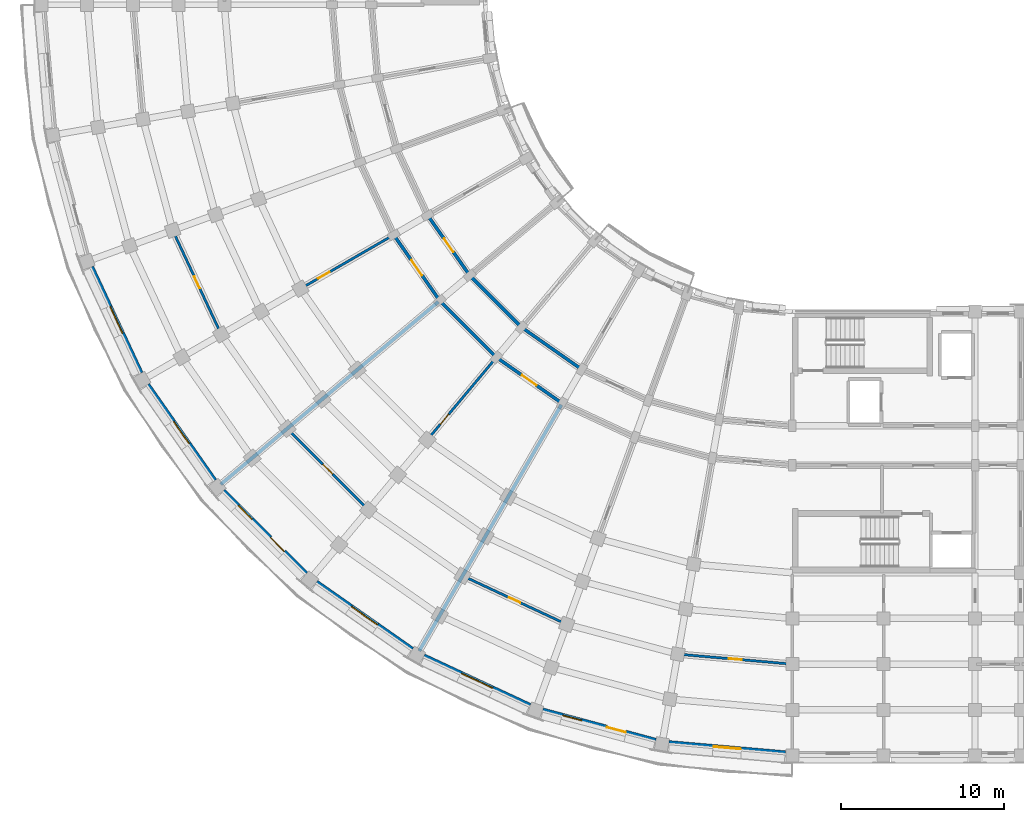
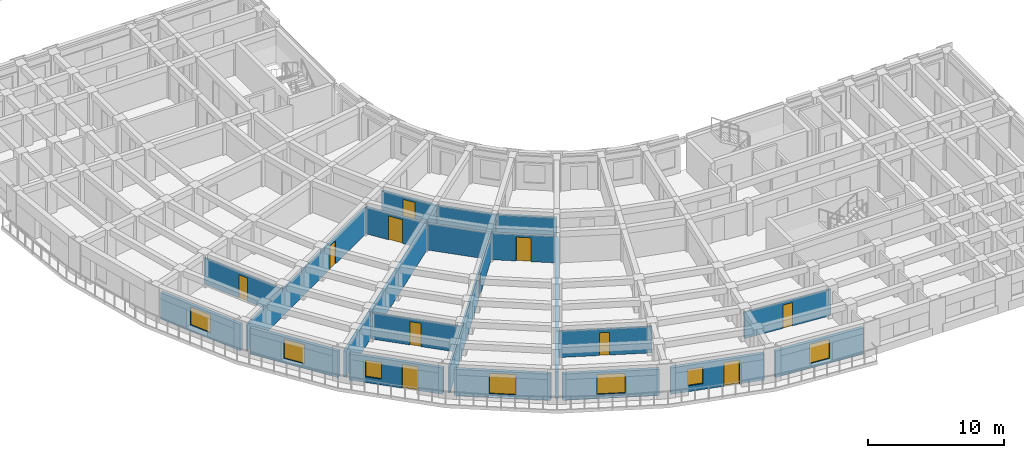
# One storey, part 15 of 54: 21 walls, 11 doors, 7 windows, 18 openings.
"""IFC4 building model written with IfcOpenShell, lengths in metres."""

from ifc_helpers import new_model, si_unit, direction, frame, frame_2d, origin, place, context, subcontext, project, spatial, rectangle, extrude, material, layer, layer_set, type_object, element, fill, save


model = new_model("IFC4")

# Units and contexts
model_context = context("Model", 3, precision=1e-05, world=origin(), true_north=direction((0.0, 1.0)))
body_context = subcontext(model_context, "Body", "Model", "MODEL_VIEW")
ifc_project = project(units=[si_unit("LENGTHUNIT", "METRE"), si_unit("AREAUNIT", "SQUARE_METRE"), si_unit("VOLUMEUNIT", "CUBIC_METRE"), si_unit("PLANEANGLEUNIT", "RADIAN"), si_unit("MASSUNIT", "GRAM", prefix="KILO")], contexts=[model_context])

# Site, building, storey
site_placement = place(None, origin())
site = spatial("IfcSite", under=ifc_project, at=site_placement, CompositionType="ELEMENT")
building_placement = place(site_placement, origin())
building = spatial("IfcBuilding", under=site, at=building_placement, Name="Kiranvali Square Residences", CompositionType="ELEMENT")
storey_placement = place(building_placement, frame((0.0, 0.0, 11.85009765625)))
storey = spatial("IfcBuildingStorey", under=building, at=storey_placement, Name="L03", CompositionType="ELEMENT", Elevation=11.85009765625)

# Wall
ifc_material_1 = material(Name="Autoclaved aerated concrete blockwork masonry", Category="masonry")
ifc_layer_1 = layer(ifc_material_1, 0.199951171875)
ifc_layer_set_1 = layer_set([ifc_layer_1], Name="Autoclaved aerated concrete blockwork masonry")
wall_type_1 = type_object("IfcWallType", Name="WL-COR-200", PredefinedType="STANDARD", material=ifc_layer_set_1)
wall_1_placement = place(storey_placement, frame((35.300048828125, 25.8564453125, 0.0), z_axis=(0.0, 0.0, 1.0), x_axis=(-0.819155404658, 0.573571637217, 0.0)))
element("IfcWall", 1, at=wall_1_placement, inside=storey, type_object=wall_type_1, Name="L03 architectural wall WL-L03-C-CCI-3", PredefinedType="STANDARD", context=body_context, shape_type="SweptSolid", body=[
    extrude(rectangle(XDim=4.497314453125, YDim=0.199951171875, at=frame_2d((2.24853515625, 0.0))), origin(), (0.0, 0.0, 1.0), 2.371826171875),
])

# Wall, opening, door
wall_2_placement = place(storey_placement, frame((34.10009765625, 23.778076171875, 0.0), z_axis=(0.0, 0.0, 1.0), x_axis=(-0.819140911474, 0.573592335331, 0.0)))
wall_2 = element("IfcWall", 2, at=wall_2_placement, inside=storey, type_object=wall_type_1, Name="L03 architectural wall WL-L03-C-CCO-3", PredefinedType="STANDARD", context=body_context, shape_type="SweptSolid", body=[
    extrude(rectangle(XDim=4.915771484375, YDim=0.199951171875, at=frame_2d((2.4580078125, 0.0))), origin(), (0.0, 0.0, 1.0), 2.371826171875),
])
opening_1_placement = place(wall_2_placement, frame((1.917724609375, 0.0, 0.0)))
opening_1 = element("IfcOpeningElement", 3, at=opening_1_placement, cuts=wall_2, Name="Opening FD-APT-60C", PredefinedType="OPENING", context=body_context, shape_type="SweptSolid", body=[
    extrude(rectangle(XDim=1.080078125, YDim=2.14990234375, at=frame_2d((0.5400390625, 1.074951171875))), frame((0.0, 0.10986328125, 0.0), z_axis=(0.0, -1.0, 0.0), x_axis=(1.0, 0.0, 0.0)), (0.0, 0.0, 1.0), 0.219970703125),
])
ifc_material_2 = material(Name="Fire-rated acoustic hardwood and mineral-core door assembly", Category="wood")
door_type_1 = type_object("IfcDoorType", Name="DR-APT-1080", OperationType="NOTDEFINED", PredefinedType="DOOR", material=ifc_material_2)
door_1_placement = place(opening_1_placement, frame((1.080078125, 0.0, 0.0), z_axis=(0.0, 0.0, 1.0), x_axis=(-1.0, 0.0, 0.0)))
door_1 = element("IfcDoor", 4, at=door_1_placement, inside=storey, type_object=door_type_1, Name="L03 door DR-L03-1946 (DR-APT-1080)", OperationType="SINGLE_SWING_RIGHT", OverallHeight=2.14990234375, OverallWidth=1.080078125, PredefinedType="DOOR", context=body_context, shape_type="SweptSolid", body=[
    extrude(rectangle(XDim=1.080078125, YDim=2.14990234375, at=frame_2d((0.5400390625, 1.074951171875))), frame((0.0, 0.02490234375, 0.0), z_axis=(0.0, -1.0, 0.0), x_axis=(1.0, 0.0, 0.0)), (0.0, 0.0, 1.0), 0.050048828125),
])
fill(opening_1, door_1)

# Walls
wall_3_placement = place(storey_placement, frame((31.615966796875, 28.43603515625, 0.0), z_axis=(0.0, 0.0, 1.0), x_axis=(-0.707106781187, 0.707106781187, 0.0)))
element("IfcWall", 5, at=wall_3_placement, inside=storey, type_object=wall_type_1, Name="L03 architectural wall WL-L03-C-CCI-4", PredefinedType="STANDARD", context=body_context, shape_type="SweptSolid", body=[
    extrude(rectangle(XDim=4.4970703125, YDim=0.199951171875, at=frame_2d((2.24853515625, 0.0))), origin(), (0.0, 0.0, 1.0), 2.371826171875),
])
wall_4_placement = place(storey_placement, frame((30.073486328125, 26.59765625, 0.0), z_axis=(0.0, 0.0, 1.0), x_axis=(-0.707106781187, 0.707106781187, 0.0)))
element("IfcWall", 6, at=wall_4_placement, inside=storey, type_object=wall_type_1, Name="L03 architectural wall WL-L03-C-CCO-4", PredefinedType="STANDARD", context=body_context, shape_type="SweptSolid", body=[
    extrude(rectangle(XDim=4.91552734375, YDim=0.199951171875, at=frame_2d((2.457763671875, 0.0))), origin(), (0.0, 0.0, 1.0), 2.371826171875),
])

# Wall, opening, door
wall_5_placement = place(storey_placement, frame((28.43603515625, 31.615966796875, 0.0), z_axis=(0.0, 0.0, 1.0), x_axis=(-0.573571637217, 0.819155404658, 0.0)))
wall_5 = element("IfcWall", 7, at=wall_5_placement, inside=storey, type_object=wall_type_1, Name="L03 architectural wall WL-L03-C-CCI-5", PredefinedType="STANDARD", context=body_context, shape_type="SweptSolid", body=[
    extrude(rectangle(XDim=4.497314453125, YDim=0.199951171875, at=frame_2d((2.24853515625, 0.0))), origin(), (0.0, 0.0, 1.0), 2.371826171875),
])
opening_2_placement = place(wall_5_placement, frame((1.74853515625, 0.0, 0.0)))
opening_2 = element("IfcOpeningElement", 8, at=opening_2_placement, cuts=wall_5, Name="Opening FD-APT-60", PredefinedType="OPENING", context=body_context, shape_type="SweptSolid", body=[
    extrude(rectangle(XDim=1.0, YDim=2.14990234375, at=frame_2d((0.5, 1.074951171875))), frame((0.0, 0.10986328125, 0.0), z_axis=(0.0, -1.0, 0.0), x_axis=(1.0, 0.0, 0.0)), (0.0, 0.0, 1.0), 0.219970703125),
])
door_type_2 = type_object("IfcDoorType", Name="DR-APT-1000", OperationType="NOTDEFINED", PredefinedType="DOOR", material=ifc_material_2)
door_2_placement = place(opening_2_placement, frame((1.0, 0.0, 0.0), z_axis=(0.0, 0.0, 1.0), x_axis=(-1.0, 0.0, 0.0)))
door_2 = element("IfcDoor", 9, at=door_2_placement, inside=storey, type_object=door_type_2, Name="L03 door DR-L03-1954 (DR-APT-1000)", OperationType="SINGLE_SWING_RIGHT", OverallHeight=2.14990234375, OverallWidth=1.0, PredefinedType="DOOR", context=body_context, shape_type="SweptSolid", body=[
    extrude(rectangle(XDim=1.0, YDim=2.14990234375, at=frame_2d((0.5, 1.074951171875))), frame((0.0, 0.02490234375, 0.0), z_axis=(0.0, -1.0, 0.0), x_axis=(1.0, 0.0, 0.0)), (0.0, 0.0, 1.0), 0.050048828125),
])
fill(opening_2, door_2)

wall_6_placement = place(storey_placement, frame((26.59765625, 30.073486328125, 0.0), z_axis=(0.0, 0.0, 1.0), x_axis=(-0.573592335331, 0.819140911474, 0.0)))
wall_6 = element("IfcWall", 10, at=wall_6_placement, inside=storey, type_object=wall_type_1, Name="L03 architectural wall WL-L03-C-CCO-5", PredefinedType="STANDARD", context=body_context, shape_type="SweptSolid", body=[
    extrude(rectangle(XDim=4.915771484375, YDim=0.199951171875, at=frame_2d((2.4580078125, 0.0))), origin(), (0.0, 0.0, 1.0), 2.371826171875),
])
opening_3_placement = place(wall_6_placement, frame((1.8876953125, 0.0, 0.0)))
opening_3 = element("IfcOpeningElement", 11, at=opening_3_placement, cuts=wall_6, Name="Opening FD-APT-60D", PredefinedType="OPENING", context=body_context, shape_type="SweptSolid", body=[
    extrude(rectangle(XDim=1.139892578125, YDim=2.14990234375, at=frame_2d((0.56982421875, 1.074951171875))), frame((0.0, 0.10986328125, 0.0), z_axis=(0.0, -1.0, 0.0), x_axis=(1.0, 0.0, 0.0)), (0.0, 0.0, 1.0), 0.219970703125),
])
door_type_3 = type_object("IfcDoorType", Name="DR-APT-1140", OperationType="NOTDEFINED", PredefinedType="DOOR", material=ifc_material_2)
door_3_placement = place(opening_3_placement, frame((1.139892578125, 0.0, 0.0), z_axis=(0.0, 0.0, 1.0), x_axis=(-1.0, 0.0, 0.0)))
door_3 = element("IfcDoor", 12, at=door_3_placement, inside=storey, type_object=door_type_3, Name="L03 door DR-L03-1948 (DR-APT-1140)", OperationType="SINGLE_SWING_RIGHT", OverallHeight=2.14990234375, OverallWidth=1.139892578125, PredefinedType="DOOR", context=body_context, shape_type="SweptSolid", body=[
    extrude(rectangle(XDim=1.139892578125, YDim=2.14990234375, at=frame_2d((0.56982421875, 1.074951171875))), frame((0.0, 0.02490234375, 0.0), z_axis=(0.0, -1.0, 0.0), x_axis=(1.0, 0.0, 0.0)), (0.0, 0.0, 1.0), 0.050048828125),
])
fill(opening_3, door_3)

# Walls
ifc_layer_2 = layer(ifc_material_1, 0.22998046875)
ifc_layer_set_2 = layer_set([ifc_layer_2], Name="Autoclaved aerated concrete blockwork masonry")
wall_type_2 = type_object("IfcWallType", Name="WL-DEM-230", PredefinedType="STANDARD", material=ifc_layer_set_2)
for number, where, z_axis, x_axis, name in (
    (13, (34.050048828125, 23.69140625, 0.0), (0.0, 0.0, 1.0), (-0.499997843263, -0.866026648973, 0.0), "L03 architectural wall WL-L03-C-RADO-3"),
    (14, (26.52099609375, 30.009033203125, 0.0), (0.0, 0.0, 1.0), (-0.766046835987, -0.642784757967, 0.0), "L03 architectural wall WL-L03-C-RADO-5"),
):
    element("IfcWall", number, at=place(storey_placement, frame(where, z_axis=z_axis, x_axis=x_axis)), inside=storey, type_object=wall_type_2, Name=name, PredefinedType="STANDARD", context=body_context, shape_type="SweptSolid", body=[
        extrude(rectangle(XDim=17.419921875, YDim=0.22998046875, at=frame_2d((8.7099609375, 0.0))), origin(), (0.0, 0.0, 1.0), 2.371826171875),
    ])

# Wall, opening, window
ifc_material_3 = material(Name="Breathable lime-rendered clay brick masonry", Category="masonry")
ifc_layer_3 = layer(ifc_material_3, 0.27490234375)
ifc_layer_set_3 = layer_set([ifc_layer_3], Name="Breathable lime-rendered clay brick masonry")
wall_type_3 = type_object("IfcWallType", Name="WL-EXT-275", PredefinedType="STANDARD", material=ifc_layer_set_3)
wall_7_placement = place(storey_placement, frame((47.785400390625, 2.36181640625, 0.0), z_axis=(0.0, 0.0, 1.0), x_axis=(-0.99619608453, 0.08713989423, 0.0)))
wall_7 = element("IfcWall", 15, at=wall_7_placement, inside=storey, type_object=wall_type_3, Name="L03 exterior wall C-L03-CRV-00", PredefinedType="STANDARD", context=body_context, shape_type="SweptSolid", body=[
    extrude(rectangle(XDim=7.1640625, YDim=0.27490234375, at=frame_2d((3.58203125, 0.0))), origin(), (0.0, 0.0, 1.0), 2.371826171875),
])
opening_4_placement = place(wall_7_placement, frame((2.757080078125, 0.0, 0.422119140625)))
opening_4 = element("IfcOpeningElement", 16, at=opening_4_placement, cuts=wall_7, Name="Opening W-13", PredefinedType="OPENING", context=body_context, shape_type="SweptSolid", body=[
    extrude(rectangle(XDim=1.64990234375, YDim=1.75, at=frame_2d((0.824951171875, 0.875))), frame((0.0, 0.1474609375, 0.0), z_axis=(0.0, -1.0, 0.0), x_axis=(1.0, 0.0, 0.0)), (0.0, 0.0, 1.0), 0.294921875),
])
ifc_material_4 = material(Name="Solar-control low-e double glazing", Category="glass")
window_type_1 = type_object("IfcWindowType", Name="WIN-RES-1650x1750", PartitioningType="DOUBLE_PANEL_VERTICAL", PredefinedType="WINDOW", material=ifc_material_4)
window_1_placement = place(opening_4_placement, origin())
window_1 = element("IfcWindow", 17, at=window_1_placement, inside=storey, type_object=window_type_1, Name="L03 recessed window C-L03-CRV-00", OverallHeight=1.75, OverallWidth=1.64990234375, PartitioningType="DOUBLE_PANEL_VERTICAL", PredefinedType="WINDOW", context=body_context, shape_type="SweptSolid", body=[
    extrude(rectangle(XDim=1.64990234375, YDim=1.75, at=frame_2d((0.824951171875, 0.875))), frame((0.0, 0.030029296875, 0.0), z_axis=(0.0, -1.0, 0.0), x_axis=(1.0, 0.0, 0.0)), (0.0, 0.0, 1.0), 0.06005859375),
])
fill(opening_4, window_1)

# Wall, openings, door, window
wall_8_placement = place(storey_placement, frame((39.83203125, 3.130126953125, 0.0), z_axis=(0.0, 0.0, 1.0), x_axis=(-0.965923712619, 0.258826933296, 0.0)))
wall_8 = element("IfcWall", 18, at=wall_8_placement, inside=storey, type_object=wall_type_3, Name="L03 exterior wall C-L03-CRV-01", PredefinedType="STANDARD", context=body_context, shape_type="SweptSolid", body=[
    extrude(rectangle(XDim=7.1640625, YDim=0.27490234375, at=frame_2d((3.58203125, 0.0))), origin(), (0.0, 0.0, 1.0), 2.371826171875),
])
opening_5_placement = place(wall_8_placement, frame((4.6904296875, 0.0, 0.52197265625)))
opening_5 = element("IfcOpeningElement", 19, at=opening_5_placement, cuts=wall_8, Name="Opening W-06", PredefinedType="OPENING", context=body_context, shape_type="SweptSolid", body=[
    extrude(rectangle(XDim=1.199951171875, YDim=1.5, at=frame_2d((0.60009765625, 0.75))), frame((0.0, 0.1474609375, 0.0), z_axis=(0.0, -1.0, 0.0), x_axis=(1.0, 0.0, 0.0)), (0.0, 0.0, 1.0), 0.294921875),
])
opening_6_placement = place(wall_8_placement, frame((1.907470703125, 0.0, 0.0)))
opening_6 = element("IfcOpeningElement", 20, at=opening_6_placement, cuts=wall_8, Name="Opening ED-BAL-1", PredefinedType="OPENING", context=body_context, shape_type="SweptSolid", body=[
    extrude(rectangle(XDim=1.199951171875, YDim=2.14990234375, at=frame_2d((0.60009765625, 1.074951171875))), frame((0.0, 0.1474609375, 0.0), z_axis=(0.0, -1.0, 0.0), x_axis=(1.0, 0.0, 0.0)), (0.0, 0.0, 1.0), 0.294921875),
])
ifc_material_5 = material(Name="Anodised bronze aluminium framing", Category="aluminium")
door_type_4 = type_object("IfcDoorType", Name="DR-BAL-1200", OperationType="NOTDEFINED", PredefinedType="DOOR", material=ifc_material_5)
door_4_placement = place(opening_6_placement, origin())
door_4 = element("IfcDoor", 21, at=door_4_placement, inside=storey, type_object=door_type_4, Name="L03 balcony terrace door", OperationType="SINGLE_SWING_LEFT", OverallHeight=2.14990234375, OverallWidth=1.199951171875, PredefinedType="DOOR", context=body_context, shape_type="SweptSolid", body=[
    extrude(rectangle(XDim=1.199951171875, YDim=2.14990234375, at=frame_2d((0.60009765625, 1.074951171875))), frame((0.0, 0.02490234375, 0.0), z_axis=(0.0, -1.0, 0.0), x_axis=(1.0, 0.0, 0.0)), (0.0, 0.0, 1.0), 0.050048828125),
])
fill(opening_6, door_4)
window_type_2 = type_object("IfcWindowType", Name="WIN-RES-1200x1500", PartitioningType="SINGLE_PANEL", PredefinedType="WINDOW", material=ifc_material_4)
window_2_placement = place(opening_5_placement, origin())
window_2 = element("IfcWindow", 22, at=window_2_placement, inside=storey, type_object=window_type_2, Name="L03 recessed window C-L03-CRV-01", OverallHeight=1.5, OverallWidth=1.199951171875, PartitioningType="SINGLE_PANEL", PredefinedType="WINDOW", context=body_context, shape_type="SweptSolid", body=[
    extrude(rectangle(XDim=1.199951171875, YDim=1.5, at=frame_2d((0.60009765625, 0.75))), frame((0.0, 0.030029296875, 0.0), z_axis=(0.0, -1.0, 0.0), x_axis=(1.0, 0.0, 0.0)), (0.0, 0.0, 1.0), 0.06005859375),
])
fill(opening_5, window_2)

# Wall, opening, window
wall_9_placement = place(storey_placement, frame((32.1328125, 5.267822265625, 0.0), z_axis=(0.0, 0.0, 1.0), x_axis=(-0.906300636296, 0.422633596215, 0.0)))
wall_9 = element("IfcWall", 23, at=wall_9_placement, inside=storey, type_object=wall_type_3, Name="L03 exterior wall C-L03-CRV-02", PredefinedType="STANDARD", context=body_context, shape_type="SweptSolid", body=[
    extrude(rectangle(XDim=7.164306640625, YDim=0.27490234375, at=frame_2d((3.58203125, 0.0))), origin(), (0.0, 0.0, 1.0), 2.371826171875),
])
opening_7_placement = place(wall_9_placement, frame((2.531982421875, 0.0, 0.3720703125)))
opening_7 = element("IfcOpeningElement", 24, at=opening_7_placement, cuts=wall_9, Name="Opening W-03", PredefinedType="OPENING", context=body_context, shape_type="SweptSolid", body=[
    extrude(rectangle(XDim=2.10009765625, YDim=1.800048828125, at=frame_2d((1.050048828125, 0.89990234375))), frame((0.0, 0.1474609375, 0.0), z_axis=(0.0, -1.0, 0.0), x_axis=(1.0, 0.0, 0.0)), (0.0, 0.0, 1.0), 0.294921875),
])
window_type_3 = type_object("IfcWindowType", Name="WIN-RES-2100x1800", PartitioningType="TRIPLE_PANEL_VERTICAL", PredefinedType="WINDOW", material=ifc_material_4)
window_3_placement = place(opening_7_placement, origin())
window_3 = element("IfcWindow", 25, at=window_3_placement, inside=storey, type_object=window_type_3, Name="L03 recessed window C-L03-CRV-02", OverallHeight=1.800048828125, OverallWidth=2.10009765625, PartitioningType="TRIPLE_PANEL_VERTICAL", PredefinedType="WINDOW", context=body_context, shape_type="SweptSolid", body=[
    extrude(rectangle(XDim=2.10009765625, YDim=1.800048828125, at=frame_2d((1.050048828125, 0.89990234375))), frame((0.0, 0.030029296875, 0.0), z_axis=(0.0, -1.0, 0.0), x_axis=(1.0, 0.0, 0.0)), (0.0, 0.0, 1.0), 0.06005859375),
])
fill(opening_7, window_3)

wall_10_placement = place(storey_placement, frame((24.921875, 8.710205078125, 0.0), z_axis=(0.0, 0.0, 1.0), x_axis=(-0.819161471697, 0.573562972382, 0.0)))
wall_10 = element("IfcWall", 26, at=wall_10_placement, inside=storey, type_object=wall_type_3, Name="L03 exterior wall C-L03-CRV-03", PredefinedType="STANDARD", context=body_context, shape_type="SweptSolid", body=[
    extrude(rectangle(XDim=7.164306640625, YDim=0.27490234375, at=frame_2d((3.58203125, 0.0))), origin(), (0.0, 0.0, 1.0), 2.371826171875),
])
opening_8_placement = place(wall_10_placement, frame((2.60693359375, 0.0, 0.322021484375)))
opening_8 = element("IfcOpeningElement", 27, at=opening_8_placement, cuts=wall_10, Name="Opening W-12", PredefinedType="OPENING", context=body_context, shape_type="SweptSolid", body=[
    extrude(rectangle(XDim=1.949951171875, YDim=1.85009765625, at=frame_2d((0.97509765625, 0.925048828125))), frame((0.0, 0.1474609375, 0.0), z_axis=(0.0, -1.0, 0.0), x_axis=(1.0, 0.0, 0.0)), (0.0, 0.0, 1.0), 0.294921875),
])
window_type_4 = type_object("IfcWindowType", Name="WIN-RES-1950x1850", PartitioningType="DOUBLE_PANEL_VERTICAL", PredefinedType="WINDOW", material=ifc_material_4)
window_4_placement = place(opening_8_placement, origin())
window_4 = element("IfcWindow", 28, at=window_4_placement, inside=storey, type_object=window_type_4, Name="L03 recessed window C-L03-CRV-03", OverallHeight=1.85009765625, OverallWidth=1.949951171875, PartitioningType="DOUBLE_PANEL_VERTICAL", PredefinedType="WINDOW", context=body_context, shape_type="SweptSolid", body=[
    extrude(rectangle(XDim=1.949951171875, YDim=1.85009765625, at=frame_2d((0.97509765625, 0.925048828125))), frame((0.0, 0.030029296875, 0.0), z_axis=(0.0, -1.0, 0.0), x_axis=(1.0, 0.0, 0.0)), (0.0, 0.0, 1.0), 0.06005859375),
])
fill(opening_8, window_4)

# Wall, openings, door, window
wall_11_placement = place(storey_placement, frame((18.418212890625, 13.352294921875, 0.0), z_axis=(0.0, 0.0, 1.0), x_axis=(-0.707106781187, 0.707106781187, 0.0)))
wall_11 = element("IfcWall", 29, at=wall_11_placement, inside=storey, type_object=wall_type_3, Name="L03 exterior wall C-L03-CRV-04", PredefinedType="STANDARD", context=body_context, shape_type="SweptSolid", body=[
    extrude(rectangle(XDim=7.164306640625, YDim=0.27490234375, at=frame_2d((3.58203125, 0.0))), origin(), (0.0, 0.0, 1.0), 2.371826171875),
])
opening_9_placement = place(wall_11_placement, frame((4.6904296875, 0.0, 0.52197265625)))
opening_9 = element("IfcOpeningElement", 30, at=opening_9_placement, cuts=wall_11, Name="Opening W-06", PredefinedType="OPENING", context=body_context, shape_type="SweptSolid", body=[
    extrude(rectangle(XDim=1.199951171875, YDim=1.5, at=frame_2d((0.60009765625, 0.75))), frame((0.0, 0.1474609375, 0.0), z_axis=(0.0, -1.0, 0.0), x_axis=(1.0, 0.0, 0.0)), (0.0, 0.0, 1.0), 0.294921875),
])
opening_10_placement = place(wall_11_placement, frame((1.907470703125, 0.0, 0.0)))
opening_10 = element("IfcOpeningElement", 31, at=opening_10_placement, cuts=wall_11, Name="Opening ED-BAL-1", PredefinedType="OPENING", context=body_context, shape_type="SweptSolid", body=[
    extrude(rectangle(XDim=1.199951171875, YDim=2.14990234375, at=frame_2d((0.60009765625, 1.074951171875))), frame((0.0, 0.1474609375, 0.0), z_axis=(0.0, -1.0, 0.0), x_axis=(1.0, 0.0, 0.0)), (0.0, 0.0, 1.0), 0.294921875),
])
door_5_placement = place(opening_10_placement, origin())
door_5 = element("IfcDoor", 32, at=door_5_placement, inside=storey, type_object=door_type_4, Name="L03 balcony terrace door", OperationType="SINGLE_SWING_RIGHT", OverallHeight=2.14990234375, OverallWidth=1.199951171875, PredefinedType="DOOR", context=body_context, shape_type="SweptSolid", body=[
    extrude(rectangle(XDim=1.199951171875, YDim=2.14990234375, at=frame_2d((0.60009765625, 1.074951171875))), frame((0.0, 0.02490234375, 0.0), z_axis=(0.0, -1.0, 0.0), x_axis=(1.0, 0.0, 0.0)), (0.0, 0.0, 1.0), 0.050048828125),
])
fill(opening_10, door_5)
window_5_placement = place(opening_9_placement, origin())
window_5 = element("IfcWindow", 33, at=window_5_placement, inside=storey, type_object=window_type_2, Name="L03 recessed window C-L03-CRV-04", OverallHeight=1.5, OverallWidth=1.199951171875, PartitioningType="SINGLE_PANEL", PredefinedType="WINDOW", context=body_context, shape_type="SweptSolid", body=[
    extrude(rectangle(XDim=1.199951171875, YDim=1.5, at=frame_2d((0.60009765625, 0.75))), frame((0.0, 0.030029296875, 0.0), z_axis=(0.0, -1.0, 0.0), x_axis=(1.0, 0.0, 0.0)), (0.0, 0.0, 1.0), 0.06005859375),
])
fill(opening_9, window_5)

# Wall, opening, window
wall_12_placement = place(storey_placement, frame((12.8193359375, 19.05322265625, 0.0), z_axis=(0.0, 0.0, 1.0), x_axis=(-0.573562972382, 0.819161471697, 0.0)))
wall_12 = element("IfcWall", 34, at=wall_12_placement, inside=storey, type_object=wall_type_3, Name="L03 exterior wall C-L03-CRV-05", PredefinedType="STANDARD", context=body_context, shape_type="SweptSolid", body=[
    extrude(rectangle(XDim=7.164306640625, YDim=0.27490234375, at=frame_2d((3.58203125, 0.0))), origin(), (0.0, 0.0, 1.0), 2.371826171875),
])
opening_11_placement = place(wall_12_placement, frame((2.757080078125, 0.0, 0.422119140625)))
opening_11 = element("IfcOpeningElement", 35, at=opening_11_placement, cuts=wall_12, Name="Opening W-13", PredefinedType="OPENING", context=body_context, shape_type="SweptSolid", body=[
    extrude(rectangle(XDim=1.64990234375, YDim=1.75, at=frame_2d((0.824951171875, 0.875))), frame((0.0, 0.1474609375, 0.0), z_axis=(0.0, -1.0, 0.0), x_axis=(1.0, 0.0, 0.0)), (0.0, 0.0, 1.0), 0.294921875),
])
window_6_placement = place(opening_11_placement, origin())
window_6 = element("IfcWindow", 36, at=window_6_placement, inside=storey, type_object=window_type_1, Name="L03 recessed window C-L03-CRV-05", OverallHeight=1.75, OverallWidth=1.64990234375, PartitioningType="DOUBLE_PANEL_VERTICAL", PredefinedType="WINDOW", context=body_context, shape_type="SweptSolid", body=[
    extrude(rectangle(XDim=1.64990234375, YDim=1.75, at=frame_2d((0.824951171875, 0.875))), frame((0.0, 0.030029296875, 0.0), z_axis=(0.0, -1.0, 0.0), x_axis=(1.0, 0.0, 0.0)), (0.0, 0.0, 1.0), 0.06005859375),
])
fill(opening_11, window_6)

wall_13_placement = place(storey_placement, frame((8.295654296875, 25.639892578125, 0.0), z_axis=(0.0, 0.0, 1.0), x_axis=(-0.422633596215, 0.906300636296, 0.0)))
wall_13 = element("IfcWall", 37, at=wall_13_placement, inside=storey, type_object=wall_type_3, Name="L03 exterior wall C-L03-CRV-06", PredefinedType="STANDARD", context=body_context, shape_type="SweptSolid", body=[
    extrude(rectangle(XDim=7.164306640625, YDim=0.27490234375, at=frame_2d((3.58203125, 0.0))), origin(), (0.0, 0.0, 1.0), 2.371826171875),
])
opening_12_placement = place(wall_13_placement, frame((2.68212890625, 0.0, 0.52197265625)))
opening_12 = element("IfcOpeningElement", 38, at=opening_12_placement, cuts=wall_13, Name="Opening W-04", PredefinedType="OPENING", context=body_context, shape_type="SweptSolid", body=[
    extrude(rectangle(XDim=1.800048828125, YDim=1.64990234375, at=frame_2d((0.89990234375, 0.824951171875))), frame((0.0, 0.1474609375, 0.0), z_axis=(0.0, -1.0, 0.0), x_axis=(1.0, 0.0, 0.0)), (0.0, 0.0, 1.0), 0.294921875),
])
window_type_5 = type_object("IfcWindowType", Name="WIN-RES-1800x1650", PartitioningType="DOUBLE_PANEL_VERTICAL", PredefinedType="WINDOW", material=ifc_material_4)
window_7_placement = place(opening_12_placement, origin())
window_7 = element("IfcWindow", 39, at=window_7_placement, inside=storey, type_object=window_type_5, Name="L03 recessed window C-L03-CRV-06", OverallHeight=1.64990234375, OverallWidth=1.800048828125, PartitioningType="DOUBLE_PANEL_VERTICAL", PredefinedType="WINDOW", context=body_context, shape_type="SweptSolid", body=[
    extrude(rectangle(XDim=1.800048828125, YDim=1.64990234375, at=frame_2d((0.89990234375, 0.824951171875))), frame((0.0, 0.030029296875, 0.0), z_axis=(0.0, -1.0, 0.0), x_axis=(1.0, 0.0, 0.0)), (0.0, 0.0, 1.0), 0.06005859375),
])
fill(opening_12, window_7)

# Wall, opening, door
ifc_material_6 = material(Name="Acoustic gypsum board drylined partition", Category="gypsum")
ifc_layer_4 = layer(ifc_material_6, 0.14990234375)
ifc_layer_set_4 = layer_set([ifc_layer_4], Name="Acoustic gypsum board drylined partition")
wall_type_4 = type_object("IfcWallType", Name="WL-PRT-150", PredefinedType="PARTITIONING", material=ifc_layer_set_4)
wall_14_placement = place(storey_placement, frame((30.009033203125, 26.52099609375, 0.0), z_axis=(0.0, 0.0, 1.0), x_axis=(-0.642784757967, -0.766046835987, 0.0)))
wall_14 = element("IfcWall", 40, at=wall_14_placement, inside=storey, type_object=wall_type_4, Name="L03 architectural wall WL-L03-C-RADO-4", PredefinedType="PARTITIONING", context=body_context, shape_type="SweptSolid", body=[
    extrude(rectangle(XDim=17.419921875, YDim=0.14990234375, at=frame_2d((8.7099609375, 0.0))), origin(), (0.0, 0.0, 1.0), 2.371826171875),
])
opening_13_placement = place(wall_14_placement, frame((4.44970703125, 0.0, 0.0)))
opening_13 = element("IfcOpeningElement", 41, at=opening_13_placement, cuts=wall_14, Name="Opening ID-WET", PredefinedType="OPENING", context=body_context, shape_type="SweptSolid", body=[
    extrude(rectangle(XDim=0.800048828125, YDim=2.10009765625, at=frame_2d((0.39990234375, 1.050048828125))), frame((0.0, 0.0849609375, 0.0), z_axis=(0.0, -1.0, 0.0), x_axis=(1.0, 0.0, 0.0)), (0.0, 0.0, 1.0), 0.169921875),
])
ifc_material_7 = material(Name="Solid seasoned teak hardwood joinery", Category="wood")
door_type_5 = type_object("IfcDoorType", Name="DR-WET-800", OperationType="NOTDEFINED", PredefinedType="DOOR", material=ifc_material_7)
door_6_placement = place(opening_13_placement, frame((0.800048828125, 0.0, 0.0), z_axis=(0.0, 0.0, 1.0), x_axis=(-1.0, 0.0, 0.0)))
door_6 = element("IfcDoor", 42, at=door_6_placement, inside=storey, type_object=door_type_5, Name="L03 door DR-L03-1938 (DR-WET-800)", OperationType="SINGLE_SWING_RIGHT", OverallHeight=2.10009765625, OverallWidth=0.800048828125, PredefinedType="DOOR", context=body_context, shape_type="SweptSolid", body=[
    extrude(rectangle(XDim=0.800048828125, YDim=2.10009765625, at=frame_2d((0.39990234375, 1.050048828125))), frame((0.0, 0.02490234375, 0.0), z_axis=(0.0, -1.0, 0.0), x_axis=(1.0, 0.0, 0.0)), (0.0, 0.0, 1.0), 0.050048828125),
])
fill(opening_13, door_6)

wall_15_placement = place(storey_placement, frame((23.69140625, 34.050048828125, 0.0), z_axis=(0.0, 0.0, 1.0), x_axis=(-0.866026648973, -0.499997843263, 0.0)))
wall_15 = element("IfcWall", 43, at=wall_15_placement, inside=storey, type_object=wall_type_4, Name="L03 architectural wall WL-L03-C-RADO-6", PredefinedType="PARTITIONING", context=body_context, shape_type="SweptSolid", body=[
    extrude(rectangle(XDim=17.419921875, YDim=0.14990234375, at=frame_2d((8.7099609375, 0.0))), origin(), (0.0, 0.0, 1.0), 2.371826171875),
])
opening_14_placement = place(wall_15_placement, frame((4.44970703125, 0.0, 0.0)))
opening_14 = element("IfcOpeningElement", 44, at=opening_14_placement, cuts=wall_15, Name="Opening ID-WET", PredefinedType="OPENING", context=body_context, shape_type="SweptSolid", body=[
    extrude(rectangle(XDim=0.800048828125, YDim=2.10009765625, at=frame_2d((0.39990234375, 1.050048828125))), frame((0.0, 0.0849609375, 0.0), z_axis=(0.0, -1.0, 0.0), x_axis=(1.0, 0.0, 0.0)), (0.0, 0.0, 1.0), 0.169921875),
])
door_7_placement = place(opening_14_placement, frame((0.800048828125, 0.0, 0.0), z_axis=(0.0, 0.0, 1.0), x_axis=(-1.0, 0.0, 0.0)))
door_7 = element("IfcDoor", 45, at=door_7_placement, inside=storey, type_object=door_type_5, Name="L03 door DR-L03-1940 (DR-WET-800)", OperationType="SINGLE_SWING_RIGHT", OverallHeight=2.10009765625, OverallWidth=0.800048828125, PredefinedType="DOOR", context=body_context, shape_type="SweptSolid", body=[
    extrude(rectangle(XDim=0.800048828125, YDim=2.10009765625, at=frame_2d((0.39990234375, 1.050048828125))), frame((0.0, 0.02490234375, 0.0), z_axis=(0.0, -1.0, 0.0), x_axis=(1.0, 0.0, 0.0)), (0.0, 0.0, 1.0), 0.050048828125),
])
fill(opening_14, door_7)

ifc_layer_5 = layer(ifc_material_1, 0.14990234375)
ifc_layer_set_5 = layer_set([ifc_layer_5], Name="Autoclaved aerated concrete blockwork masonry")
wall_type_5 = type_object("IfcWallType", Name="WL-WET-150", PredefinedType="PLUMBINGWALL", material=ifc_layer_set_5)
wall_16_placement = place(storey_placement, frame((48.199951171875, 7.800048828125, 0.0), z_axis=(0.0, 0.0, 1.0), x_axis=(-0.996194658198, 0.087156198737, 0.0)))
wall_16 = element("IfcWall", 46, at=wall_16_placement, inside=storey, type_object=wall_type_5, Name="L03 architectural wall WL-L03-C-CWET-0", PredefinedType="PLUMBINGWALL", context=body_context, shape_type="SweptSolid", body=[
    extrude(rectangle(XDim=7.042236328125, YDim=0.14990234375, at=frame_2d((3.52099609375, 0.0))), origin(), (0.0, 0.0, 1.0), 2.371826171875),
])
opening_15_placement = place(wall_16_placement, frame((3.12109375, 0.0, 0.0)))
opening_15 = element("IfcOpeningElement", 47, at=opening_15_placement, cuts=wall_16, Name="Opening ID-WET", PredefinedType="OPENING", context=body_context, shape_type="SweptSolid", body=[
    extrude(rectangle(XDim=0.800048828125, YDim=2.10009765625, at=frame_2d((0.39990234375, 1.050048828125))), frame((0.0, 0.0849609375, 0.0), z_axis=(0.0, -1.0, 0.0), x_axis=(1.0, 0.0, 0.0)), (0.0, 0.0, 1.0), 0.169921875),
])
door_8_placement = place(opening_15_placement, frame((0.800048828125, 0.0, 0.0), z_axis=(0.0, 0.0, 1.0), x_axis=(-1.0, 0.0, 0.0)))
door_8 = element("IfcDoor", 48, at=door_8_placement, inside=storey, type_object=door_type_5, Name="L03 door DR-L03-1944 (DR-WET-800)", OperationType="SINGLE_SWING_RIGHT", OverallHeight=2.10009765625, OverallWidth=0.800048828125, PredefinedType="DOOR", context=body_context, shape_type="SweptSolid", body=[
    extrude(rectangle(XDim=0.800048828125, YDim=2.10009765625, at=frame_2d((0.39990234375, 1.050048828125))), frame((0.0, 0.02490234375, 0.0), z_axis=(0.0, -1.0, 0.0), x_axis=(1.0, 0.0, 0.0)), (0.0, 0.0, 1.0), 0.050048828125),
])
fill(opening_15, door_8)

wall_17_placement = place(storey_placement, frame((34.38232421875, 10.236328125, 0.0), z_axis=(0.0, 0.0, 1.0), x_axis=(-0.906297360311, 0.422640621205, 0.0)))
wall_17 = element("IfcWall", 49, at=wall_17_placement, inside=storey, type_object=wall_type_5, Name="L03 architectural wall WL-L03-C-CWET-2", PredefinedType="PLUMBINGWALL", context=body_context, shape_type="SweptSolid", body=[
    extrude(rectangle(XDim=7.042236328125, YDim=0.14990234375, at=frame_2d((3.52099609375, 0.0))), origin(), (0.0, 0.0, 1.0), 2.371826171875),
])
opening_16_placement = place(wall_17_placement, frame((3.14111328125, 0.0, 0.0)))
opening_16 = element("IfcOpeningElement", 50, at=opening_16_placement, cuts=wall_17, Name="Opening ID-WET0", PredefinedType="OPENING", context=body_context, shape_type="SweptSolid", body=[
    extrude(rectangle(XDim=0.760009765625, YDim=2.050048828125, at=frame_2d((0.3798828125, 1.02490234375))), frame((0.0, 0.0849609375, 0.0), z_axis=(0.0, -1.0, 0.0), x_axis=(1.0, 0.0, 0.0)), (0.0, 0.0, 1.0), 0.169921875),
])
door_type_6 = type_object("IfcDoorType", Name="DR-WET-760", OperationType="NOTDEFINED", PredefinedType="DOOR", material=ifc_material_7)
door_9_placement = place(opening_16_placement, origin())
door_9 = element("IfcDoor", 51, at=door_9_placement, inside=storey, type_object=door_type_6, Name="L03 door DR-L03-1945 (DR-WET-760)", OperationType="SINGLE_SWING_LEFT", OverallHeight=2.050048828125, OverallWidth=0.760009765625, PredefinedType="DOOR", context=body_context, shape_type="SweptSolid", body=[
    extrude(rectangle(XDim=0.760009765625, YDim=2.050048828125, at=frame_2d((0.3798828125, 1.02490234375))), frame((0.0, 0.02490234375, 0.0), z_axis=(0.0, -1.0, 0.0), x_axis=(1.0, 0.0, 0.0)), (0.0, 0.0, 1.0), 0.050048828125),
])
fill(opening_16, door_9)

wall_18_placement = place(storey_placement, frame((22.2314453125, 17.251708984375, 0.0), z_axis=(0.0, 0.0, 1.0), x_axis=(-0.707106781187, 0.707106781187, 0.0)))
wall_18 = element("IfcWall", 52, at=wall_18_placement, inside=storey, type_object=wall_type_5, Name="L03 architectural wall WL-L03-C-CWET-4", PredefinedType="PLUMBINGWALL", context=body_context, shape_type="SweptSolid", body=[
    extrude(rectangle(XDim=7.04248046875, YDim=0.14990234375, at=frame_2d((3.521240234375, 0.0))), origin(), (0.0, 0.0, 1.0), 2.371826171875),
])
opening_17_placement = place(wall_18_placement, frame((3.10107421875, 0.0, 0.0)))
opening_17 = element("IfcOpeningElement", 53, at=opening_17_placement, cuts=wall_18, Name="Opening ID-WET2", PredefinedType="OPENING", context=body_context, shape_type="SweptSolid", body=[
    extrude(rectangle(XDim=0.840087890625, YDim=2.10009765625, at=frame_2d((0.419921875, 1.050048828125))), frame((0.0, 0.0849609375, 0.0), z_axis=(0.0, -1.0, 0.0), x_axis=(1.0, 0.0, 0.0)), (0.0, 0.0, 1.0), 0.169921875),
])
door_type_7 = type_object("IfcDoorType", Name="DR-WET-840", OperationType="NOTDEFINED", PredefinedType="DOOR", material=ifc_material_7)
door_10_placement = place(opening_17_placement, origin())
door_10 = element("IfcDoor", 54, at=door_10_placement, inside=storey, type_object=door_type_7, Name="L03 door DR-L03-1947 (DR-WET-840)", OperationType="SINGLE_SWING_LEFT", OverallHeight=2.10009765625, OverallWidth=0.840087890625, PredefinedType="DOOR", context=body_context, shape_type="SweptSolid", body=[
    extrude(rectangle(XDim=0.840087890625, YDim=2.10009765625, at=frame_2d((0.419921875, 1.050048828125))), frame((0.0, 0.02490234375, 0.0), z_axis=(0.0, -1.0, 0.0), x_axis=(1.0, 0.0, 0.0)), (0.0, 0.0, 1.0), 0.050048828125),
])
fill(opening_17, door_10)

wall_19_placement = place(storey_placement, frame((13.212646484375, 28.0, 0.0), z_axis=(0.0, 0.0, 1.0), x_axis=(-0.422640621205, 0.906297360311, 0.0)))
wall_19 = element("IfcWall", 55, at=wall_19_placement, inside=storey, type_object=wall_type_5, Name="L03 architectural wall WL-L03-C-CWET-6", PredefinedType="PLUMBINGWALL", context=body_context, shape_type="SweptSolid", body=[
    extrude(rectangle(XDim=7.042236328125, YDim=0.14990234375, at=frame_2d((3.52099609375, 0.0))), origin(), (0.0, 0.0, 1.0), 2.371826171875),
])
opening_18_placement = place(wall_19_placement, frame((3.12109375, 0.0, 0.0)))
opening_18 = element("IfcOpeningElement", 56, at=opening_18_placement, cuts=wall_19, Name="Opening ID-WET", PredefinedType="OPENING", context=body_context, shape_type="SweptSolid", body=[
    extrude(rectangle(XDim=0.800048828125, YDim=2.10009765625, at=frame_2d((0.39990234375, 1.050048828125))), frame((0.0, 0.0849609375, 0.0), z_axis=(0.0, -1.0, 0.0), x_axis=(1.0, 0.0, 0.0)), (0.0, 0.0, 1.0), 0.169921875),
])
door_11_placement = place(opening_18_placement, origin())
door_11 = element("IfcDoor", 57, at=door_11_placement, inside=storey, type_object=door_type_5, Name="L03 door DR-L03-1949 (DR-WET-800)", OperationType="SINGLE_SWING_LEFT", OverallHeight=2.10009765625, OverallWidth=0.800048828125, PredefinedType="DOOR", context=body_context, shape_type="SweptSolid", body=[
    extrude(rectangle(XDim=0.800048828125, YDim=2.10009765625, at=frame_2d((0.39990234375, 1.050048828125))), frame((0.0, 0.02490234375, 0.0), z_axis=(0.0, -1.0, 0.0), x_axis=(1.0, 0.0, 0.0)), (0.0, 0.0, 1.0), 0.050048828125),
])
fill(opening_18, door_11)

save(model, "model.ifc")
